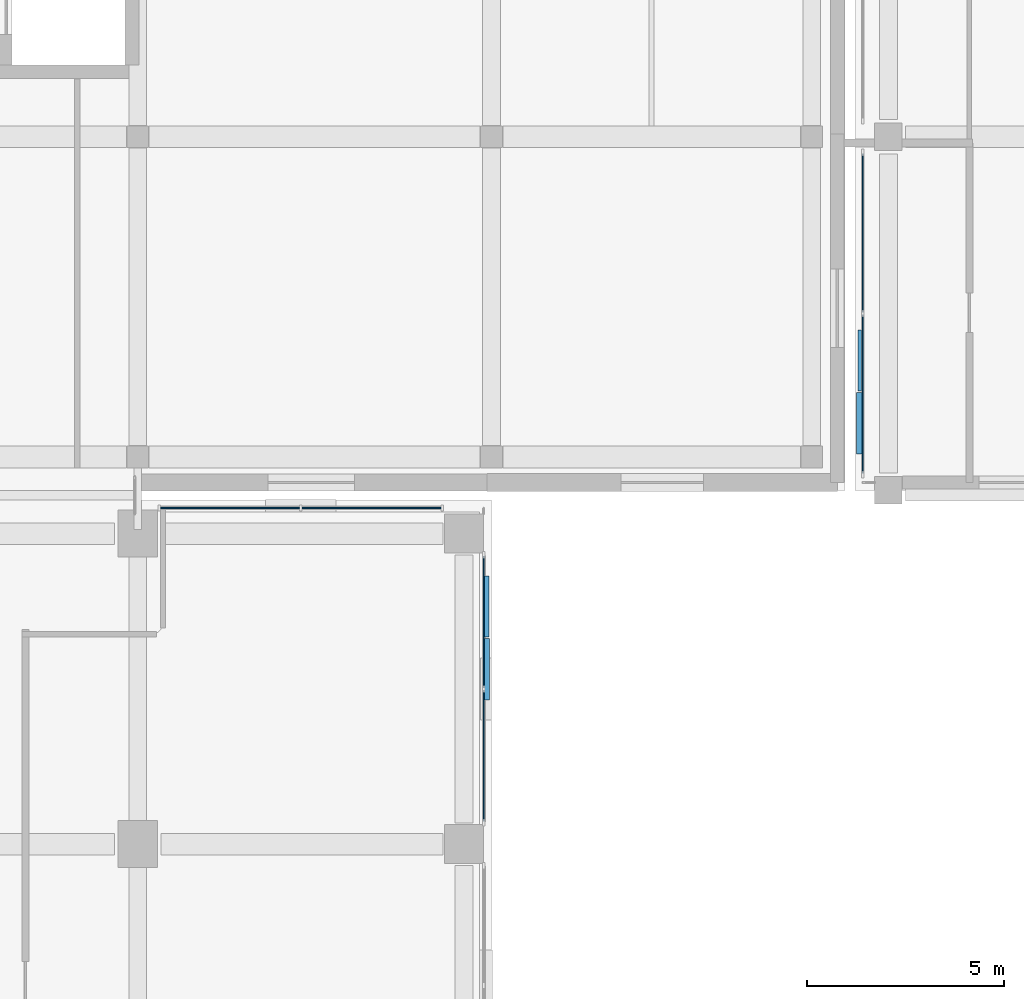
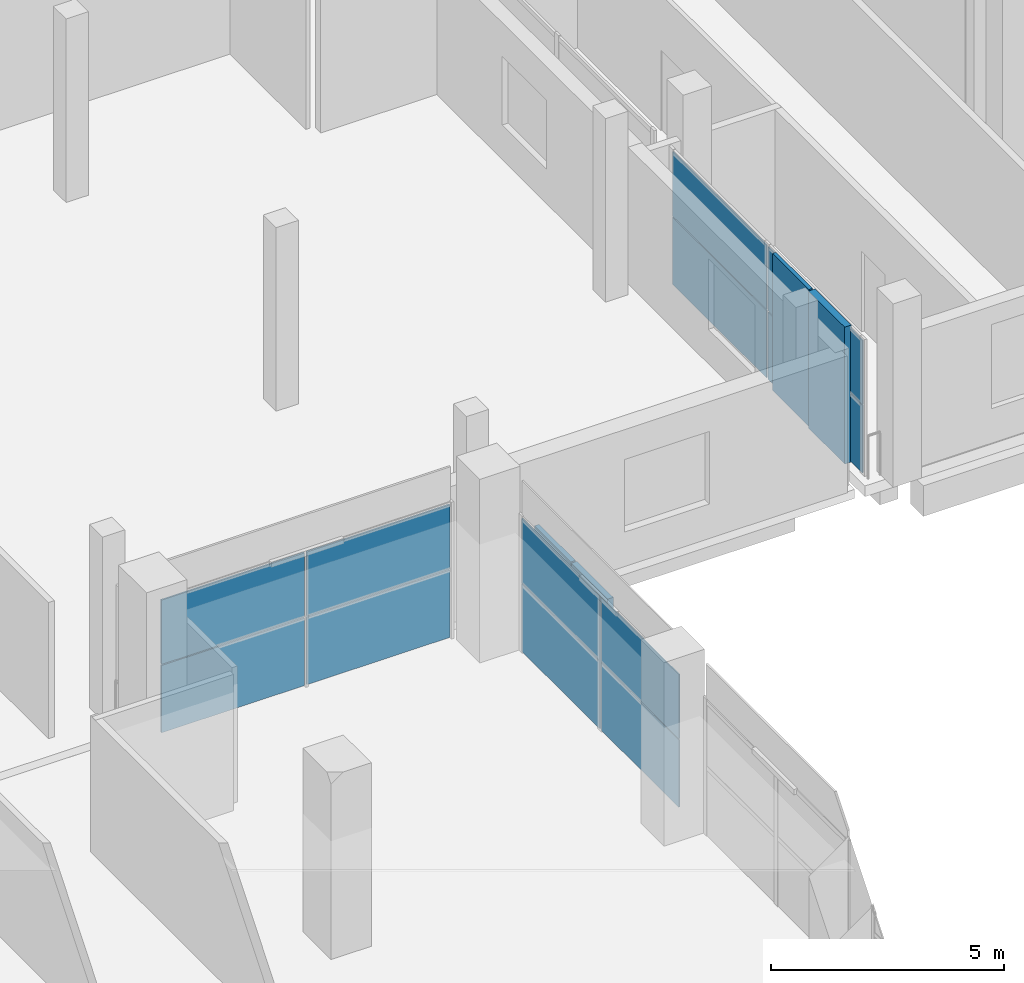
# One storey, part 56 of 111: 16 plates, 3 elements without a shape of their own.
"""IFC4 building model written with IfcOpenShell, lengths in metres."""

from ifc_helpers import new_model, si_unit, direction, frame, origin, origin_2d, place, context, subcontext, project, spatial, rectangle, extrude, material, layer, layer_set, type_object, element, aggregate, save


model = new_model("IFC4")

# Units and contexts
model_context = context("Model", 3, precision=1e-05, world=origin(), true_north=direction((0.0, 1.0)))
body_context = subcontext(model_context, "Body", "Model", "MODEL_VIEW")
ifc_project = project(units=[si_unit("LENGTHUNIT", "METRE"), si_unit("AREAUNIT", "SQUARE_METRE"), si_unit("VOLUMEUNIT", "CUBIC_METRE"), si_unit("PLANEANGLEUNIT", "RADIAN"), si_unit("MASSUNIT", "GRAM", prefix="KILO"), si_unit("THERMODYNAMICTEMPERATUREUNIT", "KELVIN"), si_unit("POWERUNIT", "WATT")], contexts=[model_context])

# Site, building, storey
site_placement = place(None, origin())
site = spatial("IfcSite", under=ifc_project, at=site_placement, CompositionType="ELEMENT")
building_placement = place(site_placement, origin())
building = spatial("IfcBuilding", under=site, at=building_placement, Name="Sindhuravela Promenade Stadium", CompositionType="ELEMENT")
storey_placement = place(building_placement, frame((0.0, 0.0, 9.60009765625)))
storey = spatial("IfcBuildingStorey", under=building, at=storey_placement, Name="L02", CompositionType="ELEMENT", Elevation=9.60009765625)

# Plates
ifc_material_1 = material(Name="Perforated terracotta celosia brick (15 MPa)", Category="masonry")
ifc_layer_1 = layer(ifc_material_1, 0.090087890625)
ifc_layer_set_1 = layer_set([ifc_layer_1], Name="Perforated terracotta celosia brick (15 MPa)")
plate_type_1 = type_object("IfcPlateType", Name="CL-SCR-01", PredefinedType="USERDEFINED", material=ifc_layer_set_1)
plate_1_placement = place(storey_placement, frame((54.3701171875, 129.304931640625, -0.000244140625), z_axis=(0.0, 0.0, 1.0), x_axis=(0.0, 1.0, 0.0)))
element("IfcPlate", 1, at=plate_1_placement, inside=storey, type_object=plate_type_1, Name="Perforated brick celosia screen NORTH L02-152", ObjectType="SCREEN PANEL", PredefinedType="USERDEFINED", context=body_context, shape_type="SweptSolid", body=[
    extrude(rectangle(XDim=1.56005859375, YDim=0.090087890625, at=origin_2d()), origin(), (0.0, 0.0, 1.0), 3.580078125),
])
ifc_layer_2 = layer(ifc_material_1, 0.114990234375)
ifc_layer_set_2 = layer_set([ifc_layer_2], Name="Perforated terracotta celosia brick (15 MPa)")
plate_type_2 = type_object("IfcPlateType", Name="CL-SCR-02", PredefinedType="USERDEFINED", material=ifc_layer_set_2)
plate_2_placement = place(storey_placement, frame((44.8798828125, 123.044921875, -0.000244140625), z_axis=(0.0, 0.0, 1.0), x_axis=(0.0, -1.0, 0.0)))
element("IfcPlate", 2, at=plate_2_placement, inside=storey, type_object=plate_type_2, Name="Perforated brick celosia screen WEST L02-13", ObjectType="SCREEN PANEL", PredefinedType="USERDEFINED", context=body_context, shape_type="SweptSolid", body=[
    extrude(rectangle(XDim=1.56005859375, YDim=0.114990234375, at=origin_2d()), origin(), (0.0, 0.0, 1.0), 3.580078125),
])
ifc_layer_3 = layer(ifc_material_1, 0.139892578125)
ifc_layer_set_3 = layer_set([ifc_layer_3], Name="Perforated terracotta celosia brick (15 MPa)")
plate_type_3 = type_object("IfcPlateType", Name="CL-SCR-03", PredefinedType="USERDEFINED", material=ifc_layer_set_3)
plate_3_placement = place(storey_placement, frame((44.8798828125, 121.445068359375, -0.000244140625), z_axis=(0.0, 0.0, 1.0), x_axis=(0.0, -1.0, 0.0)))
element("IfcPlate", 3, at=plate_3_placement, inside=storey, type_object=plate_type_3, Name="Perforated brick celosia screen WEST L02-14", ObjectType="SCREEN PANEL", PredefinedType="USERDEFINED", context=body_context, shape_type="SweptSolid", body=[
    extrude(rectangle(XDim=1.56005859375, YDim=0.139892578125, at=origin_2d()), origin(), (0.0, 0.0, 1.0), 3.580078125),
])
ifc_layer_4 = layer(ifc_material_1, 0.1650390625)
ifc_layer_set_4 = layer_set([ifc_layer_4], Name="Perforated terracotta celosia brick (15 MPa)")
plate_type_4 = type_object("IfcPlateType", Name="CL-SCR-04", PredefinedType="USERDEFINED", material=ifc_layer_set_4)
plate_4_placement = place(storey_placement, frame((54.3701171875, 127.705078125, -0.000244140625), z_axis=(0.0, 0.0, 1.0), x_axis=(0.0, 1.0, 0.0)))
element("IfcPlate", 4, at=plate_4_placement, inside=storey, type_object=plate_type_4, Name="Perforated brick celosia screen NORTH L02-151", ObjectType="SCREEN PANEL", PredefinedType="USERDEFINED", context=body_context, shape_type="SweptSolid", body=[
    extrude(rectangle(XDim=1.56005859375, YDim=0.1650390625, at=origin_2d()), origin(), (0.0, 0.0, 1.0), 3.580078125),
])

# Curtain wall, plates
ifc_material_2 = material(Name="Anodised architectural aluminium 6063-T6", Category="aluminium")
curtain_wall_type_1 = type_object("IfcCurtainWallType", Name="CW-MOD-7", PredefinedType="NOTDEFINED", material=ifc_material_2)
curtain_wall_1_placement = place(storey_placement, origin())
curtain_wall_1 = element("IfcCurtainWall", 5, at=curtain_wall_1_placement, inside=storey, type_object=curtain_wall_type_1, Name="Bronze curtain wall CW-WEST-L02-014", PredefinedType="NOTDEFINED")
ifc_material_3 = material(Name="Tempered laminated low-E glass", Category="glass")
ifc_layer_5 = layer(ifc_material_3, 0.028076171875)
ifc_layer_set_5 = layer_set([ifc_layer_5], Name="Tempered laminated low-E glass")
plate_type_5 = type_object("IfcPlateType", Name="CW-PNL-01", PredefinedType="CURTAIN_PANEL", material=ifc_layer_set_5)
plate_5_placement = place(storey_placement, frame((44.800048828125, 122.64990234375, 0.01513671875), z_axis=(0.0, 0.0, 1.0), x_axis=(0.0, -1.0, 0.0)))
plate_5 = element("IfcPlate", 6, at=plate_5_placement, type_object=plate_type_5, Name="Glazed curtain panel CW-WEST-L02-014-P1.1", PredefinedType="CURTAIN_PANEL", context=body_context, shape_type="SweptSolid", body=[
    extrude(rectangle(XDim=3.340087890625, YDim=0.028076171875, at=origin_2d()), origin(), (0.0, 0.0, 1.0), 1.760009765625),
])
plate_6_placement = place(storey_placement, frame((44.800048828125, 122.64990234375, 1.80517578125), z_axis=(0.0, 0.0, 1.0), x_axis=(0.0, -1.0, 0.0)))
plate_6 = element("IfcPlate", 7, at=plate_6_placement, type_object=plate_type_5, Name="Glazed curtain panel CW-WEST-L02-014-P1.2", PredefinedType="CURTAIN_PANEL", context=body_context, shape_type="SweptSolid", body=[
    extrude(rectangle(XDim=3.340087890625, YDim=0.028076171875, at=origin_2d()), origin(), (0.0, 0.0, 1.0), 1.679931640625),
])
plate_7_placement = place(storey_placement, frame((44.800048828125, 119.25, 0.01513671875), z_axis=(0.0, 0.0, 1.0), x_axis=(0.0, -1.0, 0.0)))
plate_7 = element("IfcPlate", 8, at=plate_7_placement, type_object=plate_type_5, Name="Glazed curtain panel CW-WEST-L02-014-P2.1", PredefinedType="CURTAIN_PANEL", context=body_context, shape_type="SweptSolid", body=[
    extrude(rectangle(XDim=3.340087890625, YDim=0.028076171875, at=origin_2d()), origin(), (0.0, 0.0, 1.0), 1.760009765625),
])
plate_8_placement = place(storey_placement, frame((44.800048828125, 119.25, 1.80517578125), z_axis=(0.0, 0.0, 1.0), x_axis=(0.0, -1.0, 0.0)))
plate_8 = element("IfcPlate", 9, at=plate_8_placement, type_object=plate_type_5, Name="Glazed curtain panel CW-WEST-L02-014-P2.2", PredefinedType="CURTAIN_PANEL", context=body_context, shape_type="SweptSolid", body=[
    extrude(rectangle(XDim=3.340087890625, YDim=0.028076171875, at=origin_2d()), origin(), (0.0, 0.0, 1.0), 1.679931640625),
])
aggregate(curtain_wall_1, [plate_5, plate_6, plate_7, plate_8])

curtain_wall_type_2 = type_object("IfcCurtainWallType", Name="CW-MOD-1", PredefinedType="NOTDEFINED", material=ifc_material_2)
curtain_wall_2_placement = place(storey_placement, origin())
curtain_wall_2 = element("IfcCurtainWall", 10, at=curtain_wall_2_placement, inside=storey, type_object=curtain_wall_type_2, Name="Bronze curtain wall CW-NORTH-L02-152", PredefinedType="NOTDEFINED")
plate_9_placement = place(storey_placement, frame((54.449951171875, 128.449951171875, 0.01513671875), z_axis=(0.0, 0.0, 1.0), x_axis=(0.0, 1.0, 0.0)))
plate_9 = element("IfcPlate", 11, at=plate_9_placement, type_object=plate_type_5, Name="Glazed curtain panel CW-NORTH-L02-152-P1.1", PredefinedType="CURTAIN_PANEL", context=body_context, shape_type="SweptSolid", body=[
    extrude(rectangle(XDim=4.0400390625, YDim=0.028076171875, at=origin_2d()), origin(), (0.0, 0.0, 1.0), 1.760009765625),
])
plate_10_placement = place(storey_placement, frame((54.449951171875, 128.449951171875, 1.80517578125), z_axis=(0.0, 0.0, 1.0), x_axis=(0.0, 1.0, 0.0)))
plate_10 = element("IfcPlate", 12, at=plate_10_placement, type_object=plate_type_5, Name="Glazed curtain panel CW-NORTH-L02-152-P1.2", PredefinedType="CURTAIN_PANEL", context=body_context, shape_type="SweptSolid", body=[
    extrude(rectangle(XDim=4.0400390625, YDim=0.028076171875, at=origin_2d()), origin(), (0.0, 0.0, 1.0), 1.679931640625),
])
plate_11_placement = place(storey_placement, frame((54.449951171875, 132.550048828125, 0.01513671875), z_axis=(0.0, 0.0, 1.0), x_axis=(0.0, 1.0, 0.0)))
plate_11 = element("IfcPlate", 13, at=plate_11_placement, type_object=plate_type_5, Name="Glazed curtain panel CW-NORTH-L02-152-P2.1", PredefinedType="CURTAIN_PANEL", context=body_context, shape_type="SweptSolid", body=[
    extrude(rectangle(XDim=4.0400390625, YDim=0.028076171875, at=origin_2d()), origin(), (0.0, 0.0, 1.0), 1.760009765625),
])
plate_12_placement = place(storey_placement, frame((54.449951171875, 132.550048828125, 1.80517578125), z_axis=(0.0, 0.0, 1.0), x_axis=(0.0, 1.0, 0.0)))
plate_12 = element("IfcPlate", 14, at=plate_12_placement, type_object=plate_type_5, Name="Glazed curtain panel CW-NORTH-L02-152-P2.2", PredefinedType="CURTAIN_PANEL", context=body_context, shape_type="SweptSolid", body=[
    extrude(rectangle(XDim=4.0400390625, YDim=0.028076171875, at=origin_2d()), origin(), (0.0, 0.0, 1.0), 1.679931640625),
])
aggregate(curtain_wall_2, [plate_9, plate_10, plate_11, plate_12])

curtain_wall_type_3 = type_object("IfcCurtainWallType", Name="CW-MOD-6", PredefinedType="NOTDEFINED", material=ifc_material_2)
curtain_wall_3_placement = place(storey_placement, origin())
curtain_wall_3 = element("IfcCurtainWall", 15, at=curtain_wall_3_placement, inside=storey, type_object=curtain_wall_type_3, Name="Bronze curtain wall CW-WEST-L02-013", PredefinedType="NOTDEFINED")
ifc_layer_6 = layer(ifc_material_3, 0.0400390625)
ifc_layer_set_6 = layer_set([ifc_layer_6], Name="Tempered laminated low-E glass")
plate_type_6 = type_object("IfcPlateType", Name="CW-PNL-02", PredefinedType="CURTAIN_PANEL", material=ifc_layer_set_6)
plate_13_placement = place(storey_placement, frame((38.35009765625, 125.550048828125, 0.01513671875), z_axis=(0.0, 0.0, 1.0), x_axis=(1.0, 0.0, 0.0)))
plate_13 = element("IfcPlate", 16, at=plate_13_placement, type_object=plate_type_6, Name="Glazed curtain panel CW-WEST-L02-013-P1.1", PredefinedType="CURTAIN_PANEL", context=body_context, shape_type="SweptSolid", body=[
    extrude(rectangle(XDim=3.5400390625, YDim=0.0400390625, at=origin_2d()), origin(), (0.0, 0.0, 1.0), 1.760009765625),
])
plate_14_placement = place(storey_placement, frame((38.35009765625, 125.550048828125, 1.80517578125), z_axis=(0.0, 0.0, 1.0), x_axis=(1.0, 0.0, 0.0)))
plate_14 = element("IfcPlate", 17, at=plate_14_placement, type_object=plate_type_6, Name="Glazed curtain panel CW-WEST-L02-013-P1.2", PredefinedType="CURTAIN_PANEL", context=body_context, shape_type="SweptSolid", body=[
    extrude(rectangle(XDim=3.5400390625, YDim=0.0400390625, at=origin_2d()), origin(), (0.0, 0.0, 1.0), 1.679931640625),
])
plate_15_placement = place(storey_placement, frame((41.949951171875, 125.550048828125, 0.01513671875), z_axis=(0.0, 0.0, 1.0), x_axis=(1.0, 0.0, 0.0)))
plate_15 = element("IfcPlate", 18, at=plate_15_placement, type_object=plate_type_6, Name="Glazed curtain panel CW-WEST-L02-013-P2.1", PredefinedType="CURTAIN_PANEL", context=body_context, shape_type="SweptSolid", body=[
    extrude(rectangle(XDim=3.5400390625, YDim=0.0400390625, at=origin_2d()), origin(), (0.0, 0.0, 1.0), 1.760009765625),
])
plate_16_placement = place(storey_placement, frame((41.949951171875, 125.550048828125, 1.80517578125), z_axis=(0.0, 0.0, 1.0), x_axis=(1.0, 0.0, 0.0)))
plate_16 = element("IfcPlate", 19, at=plate_16_placement, type_object=plate_type_6, Name="Glazed curtain panel CW-WEST-L02-013-P2.2", PredefinedType="CURTAIN_PANEL", context=body_context, shape_type="SweptSolid", body=[
    extrude(rectangle(XDim=3.5400390625, YDim=0.0400390625, at=origin_2d()), origin(), (0.0, 0.0, 1.0), 1.679931640625),
])
aggregate(curtain_wall_3, [plate_13, plate_14, plate_15, plate_16])

save(model, "model.ifc")
